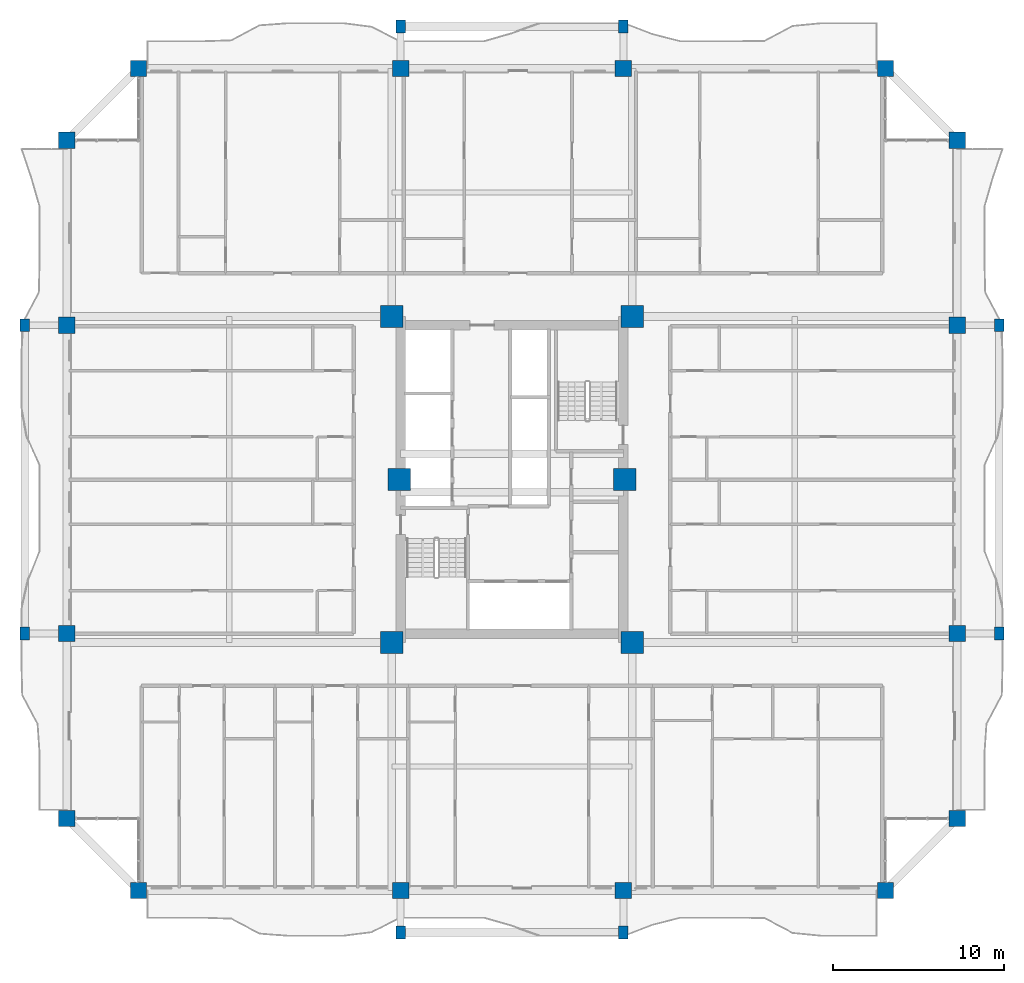
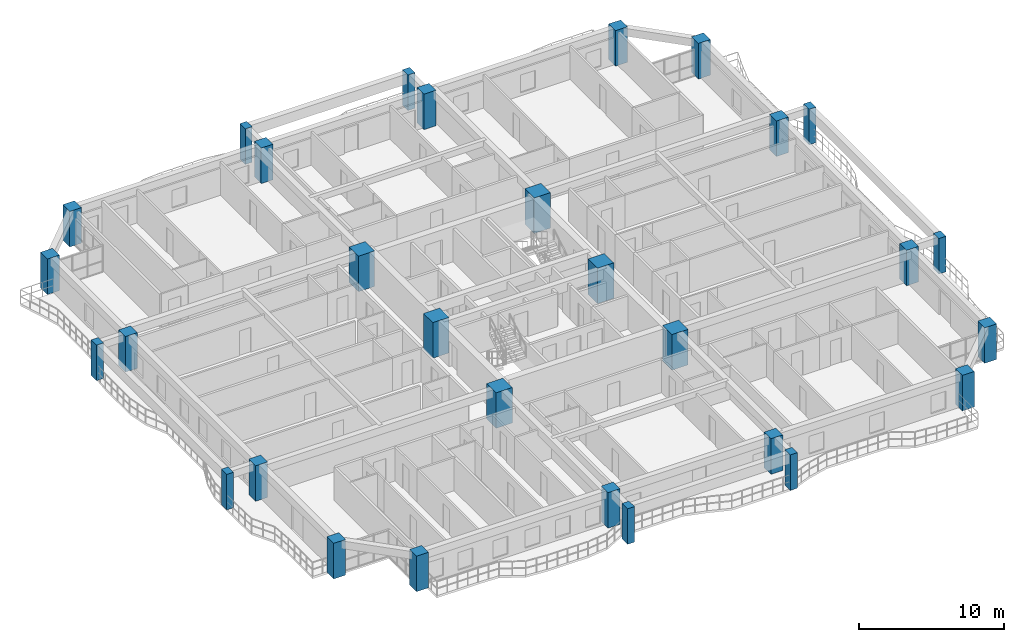
# One storey, part 1 of 25: 30 columns.
"""IFC4 building model written with IfcOpenShell, lengths in metres."""

from ifc_helpers import new_model, si_unit, direction, frame, origin, origin_2d, place, context, subcontext, project, spatial, rectangle, extrude, source, transform, mapped, material, material_profile, profile_set, type_object, element, save


model = new_model("IFC4")

# Units and contexts
model_context = context("Model", 3, precision=1e-05, world=origin(), true_north=direction((0.0, 1.0)))
body_context = subcontext(model_context, "Body", "Model", "MODEL_VIEW")
ifc_project = project(units=[si_unit("LENGTHUNIT", "METRE"), si_unit("AREAUNIT", "SQUARE_METRE"), si_unit("VOLUMEUNIT", "CUBIC_METRE"), si_unit("PLANEANGLEUNIT", "RADIAN"), si_unit("MASSUNIT", "GRAM", prefix="KILO")], contexts=[model_context])

# Site, building, storey
site_placement = place(None, origin())
site = spatial("IfcSite", under=ifc_project, at=site_placement, CompositionType="ELEMENT")
building_placement = place(site_placement, origin())
building = spatial("IfcBuilding", under=site, at=building_placement, Name="Saelheon Loggia Tower", CompositionType="ELEMENT")
storey_placement = place(building_placement, frame((0.0, 0.0, 80.85009765625)))
storey = spatial("IfcBuildingStorey", under=building, at=storey_placement, Name="L25", CompositionType="ELEMENT", Elevation=80.85009765625)

# Columns
ifc_material_1 = material(Name="Precast Concrete C45/55", Category="concrete")
ifc_material_profile_1 = material_profile(ifc_material_1, rectangle(XDim=0.550048828125, YDim=0.75, at=origin_2d()), Name="RC-550x750")
ifc_profile_set_1 = profile_set([ifc_material_profile_1], Name="Precast Concrete C45/55")
column_type_1 = type_object("IfcColumnType", Name="Col_Loggia_Pilaster_750", PredefinedType="PILASTER", material=ifc_profile_set_1)
shared_shape_1 = source(origin(), body_context, "Body", "SweptSolid", [
    extrude(rectangle(XDim=0.550048828125, YDim=0.75, at=origin_2d()), origin(), (0.0, 0.0, 1.0), 3.0),
])
for number, where, z_axis, x_axis, name in (
    (1, (31.5, 0.550048828125, 0.0), (0.0, 0.0, 1.0), (1.0, 0.0, 0.0), "L25 Loggia Frame Pilaster LP-S1"),
    (2, (44.5, 0.550048828125, 0.0), (0.0, 0.0, 1.0), (1.0, 0.0, 0.0), "L25 Loggia Frame Pilaster LP-S2"),
    (3, (31.5, 53.449951171875, 0.0), (0.0, 0.0, 1.0), (1.0, 0.0, 0.0), "L25 Loggia Frame Pilaster LP-N1"),
    (4, (44.5, 53.449951171875, 0.0), (0.0, 0.0, 1.0), (1.0, 0.0, 0.0), "L25 Loggia Frame Pilaster LP-N2"),
    (5, (66.449951171875, 18.0, 0.0), (0.0, 0.0, 1.0), (1.0, 0.0, 0.0), "L25 Loggia Frame Pilaster LP-E1"),
    (6, (66.449951171875, 36.0, 0.0), (0.0, 0.0, 1.0), (1.0, 0.0, 0.0), "L25 Loggia Frame Pilaster LP-E2"),
    (7, (9.550048828125, 18.0, 0.0), (0.0, 0.0, 1.0), (1.0, 0.0, 0.0), "L25 Loggia Frame Pilaster LP-W1"),
    (8, (9.550048828125, 36.0, 0.0), (0.0, 0.0, 1.0), (1.0, 0.0, 0.0), "L25 Loggia Frame Pilaster LP-W2"),
):
    element("IfcColumn", number, at=place(storey_placement, frame(where, z_axis=z_axis, x_axis=x_axis)), inside=storey, type_object=column_type_1, Name=name, PredefinedType="PILASTER", context=body_context, shape_type="MappedRepresentation", body=[
        mapped(shared_shape_1, transform((0.0, 0.0, 0.0), scale=1.0)),
    ])
ifc_material_2 = material(Name="Concrete C60/75", Category="concrete")
ifc_material_profile_2 = material_profile(ifc_material_2, rectangle(XDim=1.300048828125, YDim=1.300048828125, at=origin_2d()), Name="RC-1300x1300")
ifc_profile_set_2 = profile_set([ifc_material_profile_2], Name="Concrete C60/75")
column_type_2 = type_object("IfcColumnType", Name="Col_Core_RC1300", PredefinedType="COLUMN", material=ifc_profile_set_2)
shared_shape_2 = source(origin(), body_context, "Body", "SweptSolid", [
    extrude(rectangle(XDim=1.300048828125, YDim=1.300048828125, at=origin_2d()), origin(), (0.0, 0.0, 1.0), 3.0),
])
for number, where, z_axis, x_axis, name in (
    (9, (30.97998046875, 17.47998046875, 0.0), (0.0, 0.0, 1.0), (1.0, 0.0, 0.0), "L25 Core Column CR-SW"),
    (10, (45.02001953125, 17.47998046875, 0.0), (0.0, 0.0, 1.0), (1.0, 0.0, 0.0), "L25 Core Column CR-SE"),
    (11, (30.97998046875, 36.52001953125, 0.0), (0.0, 0.0, 1.0), (1.0, 0.0, 0.0), "L25 Core Column CR-NW"),
    (12, (45.02001953125, 36.52001953125, 0.0), (0.0, 0.0, 1.0), (1.0, 0.0, 0.0), "L25 Core Column CR-NE"),
    (13, (31.419921875, 27.0, 0.0), (0.0, 0.0, 1.0), (1.0, 0.0, 0.0), "L25 Core Column CR-MW"),
    (14, (44.580078125, 27.0, 0.0), (0.0, 0.0, 1.0), (1.0, 0.0, 0.0), "L25 Core Column CR-ME"),
):
    element("IfcColumn", number, at=place(storey_placement, frame(where, z_axis=z_axis, x_axis=x_axis)), inside=storey, type_object=column_type_2, Name=name, PredefinedType="COLUMN", context=body_context, shape_type="MappedRepresentation", body=[
        mapped(shared_shape_2, transform((0.0, 0.0, 0.0), scale=1.0)),
    ])
ifc_material_3 = material(Name="Concrete C50/60", Category="concrete")
ifc_material_profile_3 = material_profile(ifc_material_3, rectangle(XDim=0.949951171875, YDim=0.949951171875, at=origin_2d()), Name="RC-950x950")
ifc_profile_set_3 = profile_set([ifc_material_profile_3], Name="Concrete C50/60")
column_type_3 = type_object("IfcColumnType", Name="Col_Perim_RC950", PredefinedType="COLUMN", material=ifc_profile_set_3)
shared_shape_3 = source(origin(), body_context, "Body", "SweptSolid", [
    extrude(rectangle(XDim=0.949951171875, YDim=0.949951171875, at=origin_2d()), origin(), (0.0, 0.0, 1.0), 3.0),
])
for number, where, z_axis, x_axis, name in (
    (15, (16.199951171875, 3.0, 0.0), (0.0, 0.0, 1.0), (1.0, 0.0, 0.0), "L25 Perimeter Column TP-S1"),
    (16, (31.5, 3.0, 0.0), (0.0, 0.0, 1.0), (1.0, 0.0, 0.0), "L25 Perimeter Column TP-SA"),
    (17, (44.5, 3.0, 0.0), (0.0, 0.0, 1.0), (1.0, 0.0, 0.0), "L25 Perimeter Column TP-SB"),
    (18, (59.800048828125, 3.0, 0.0), (0.0, 0.0, 1.0), (1.0, 0.0, 0.0), "L25 Perimeter Column TP-S2"),
    (19, (64.0, 7.199951171875, 0.0), (0.0, 0.0, 1.0), (1.0, 0.0, 0.0), "L25 Perimeter Column TP-E1"),
    (20, (64.0, 18.0, 0.0), (0.0, 0.0, 1.0), (1.0, 0.0, 0.0), "L25 Perimeter Column TP-EA"),
    (21, (64.0, 36.0, 0.0), (0.0, 0.0, 1.0), (1.0, 0.0, 0.0), "L25 Perimeter Column TP-EB"),
    (22, (64.0, 46.800048828125, 0.0), (0.0, 0.0, 1.0), (1.0, 0.0, 0.0), "L25 Perimeter Column TP-E2"),
    (23, (59.800048828125, 51.0, 0.0), (0.0, 0.0, 1.0), (1.0, 0.0, 0.0), "L25 Perimeter Column TP-N2"),
    (24, (44.5, 51.0, 0.0), (0.0, 0.0, 1.0), (1.0, 0.0, 0.0), "L25 Perimeter Column TP-NB"),
    (25, (31.5, 51.0, 0.0), (0.0, 0.0, 1.0), (1.0, 0.0, 0.0), "L25 Perimeter Column TP-NA"),
    (26, (16.199951171875, 51.0, 0.0), (0.0, 0.0, 1.0), (1.0, 0.0, 0.0), "L25 Perimeter Column TP-N1"),
    (27, (12.0, 46.800048828125, 0.0), (0.0, 0.0, 1.0), (1.0, 0.0, 0.0), "L25 Perimeter Column TP-W2"),
    (28, (12.0, 36.0, 0.0), (0.0, 0.0, 1.0), (1.0, 0.0, 0.0), "L25 Perimeter Column TP-WB"),
    (29, (12.0, 18.0, 0.0), (0.0, 0.0, 1.0), (1.0, 0.0, 0.0), "L25 Perimeter Column TP-WA"),
    (30, (12.0, 7.199951171875, 0.0), (0.0, 0.0, 1.0), (1.0, 0.0, 0.0), "L25 Perimeter Column TP-W1"),
):
    element("IfcColumn", number, at=place(storey_placement, frame(where, z_axis=z_axis, x_axis=x_axis)), inside=storey, type_object=column_type_3, Name=name, PredefinedType="COLUMN", context=body_context, shape_type="MappedRepresentation", body=[
        mapped(shared_shape_3, transform((0.0, 0.0, 0.0), scale=1.0)),
    ])

save(model, "model.ifc")
